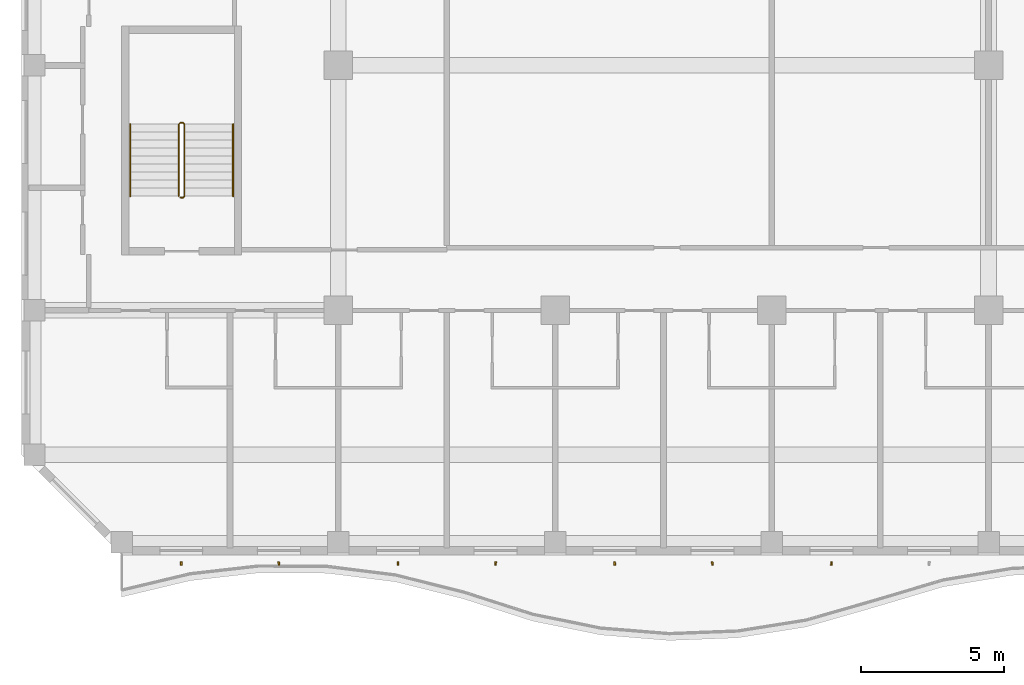
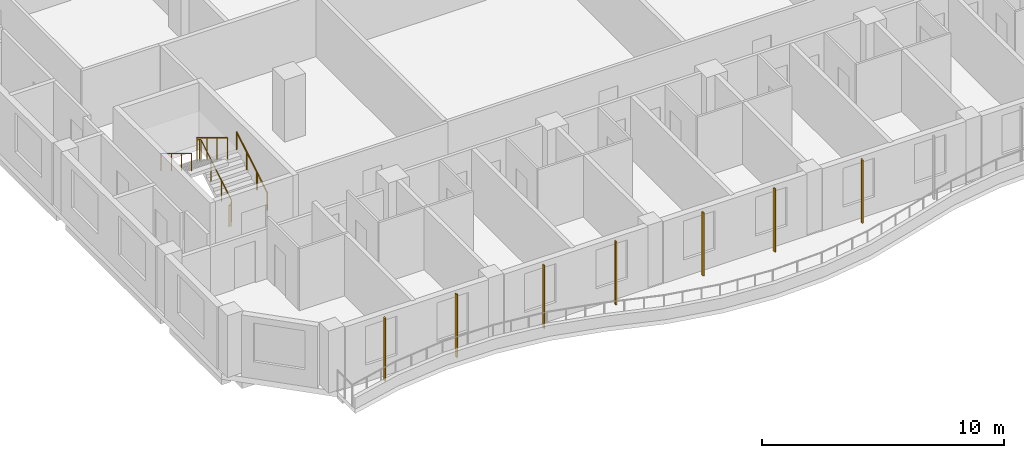
# One storey, part 15 of 23: 7 shading devices, 3 railings.
"""IFC4 building model written with IfcOpenShell, lengths in metres."""

from ifc_helpers import new_model, si_unit, direction, frame, origin, origin_2d, place, context, subcontext, project, spatial, rectangle, circle, extrude, source, transform, mapped, material, material_profile, profile_set, type_object, element, save


model = new_model("IFC4")

# Units and contexts
model_context = context("Model", 3, precision=1e-05, world=origin(), true_north=direction((0.0, 1.0)))
body_context = subcontext(model_context, "Body", "Model", "MODEL_VIEW")
ifc_project = project(units=[si_unit("LENGTHUNIT", "METRE"), si_unit("AREAUNIT", "SQUARE_METRE"), si_unit("VOLUMEUNIT", "CUBIC_METRE"), si_unit("PLANEANGLEUNIT", "RADIAN"), si_unit("MASSUNIT", "GRAM", prefix="KILO")], contexts=[model_context])

# Site, building, storey
site_placement = place(None, origin())
site = spatial("IfcSite", under=ifc_project, at=site_placement, CompositionType="ELEMENT")
building_placement = place(site_placement, origin())
building = spatial("IfcBuilding", under=site, at=building_placement, Name="Kilnfold Tower and Market Hall", CompositionType="ELEMENT")
storey_placement = place(building_placement, frame((0.0, 0.0, 203.300048828125)))
storey = spatial("IfcBuildingStorey", under=building, at=storey_placement, Name="L49", CompositionType="ELEMENT", Elevation=203.300048828125)

# Railings
ifc_material_1 = material(Name="Stainless steel 316", Category="steel")
railing_type_1 = type_object("IfcRailingType", Name="CORE STAIR GUARD 1100", PredefinedType="GUARDRAIL", material=ifc_material_1)
railing_1_placement = place(storey_placement, frame((-15.699951171875, -13.75, 0.0)))
element("IfcRailing", 1, at=railing_1_placement, inside=storey, type_object=railing_type_1, Name="L49 ST3 stair guard 1", PredefinedType="GUARDRAIL", context=body_context, shape_type="SweptSolid", body=[
    extrude(circle(Radius=0.02392578125, at=origin_2d()), frame((0.0, 0.0, 1.076171875), z_axis=(1.0, 0.0, 0.0), x_axis=(0.0, 1.0, 0.0)), (0.0, 0.0, 1.0), 0.099853515625),
    extrude(circle(Radius=0.02392578125, at=origin_2d()), frame((0.099853515625, 0.0, 1.076171875), z_axis=(0.271895245746, 0.271895245746, 0.923117517265), x_axis=(-0.707106781187, 0.707106781187, 0.0)), (0.0, 0.0, 1.0), 0.18408203125),
    extrude(circle(Radius=0.02392578125, at=origin_2d()), frame((0.14990234375, 0.050048828125, 1.24609375), z_axis=(0.0, 0.85478489116, 0.518982456201), x_axis=(-1.0, 0.0, 0.0)), (0.0, 0.0, 1.0), 2.9482421875),
    extrude(circle(Radius=0.02392578125, at=origin_2d()), frame((0.14990234375, 2.570068359375, 2.77587890625), z_axis=(-0.707106781187, 0.707106781187, 0.0), x_axis=(-0.707106781187, -0.707106781187, 0.0)), (0.0, 0.0, 1.0), 0.07080078125),
    extrude(circle(Radius=0.02392578125, at=origin_2d()), frame((0.099853515625, 2.6201171875, 2.77587890625), z_axis=(-1.0, 0.0, 0.0), x_axis=(0.0, -1.0, 0.0)), (0.0, 0.0, 1.0), 0.099853515625),
    extrude(circle(Radius=0.02392578125, at=origin_2d()), frame((0.0, 2.6201171875, 2.77587890625), z_axis=(-0.271895245746, -0.271895245746, 0.923117517265), x_axis=(0.707106781187, -0.707106781187, 0.0)), (0.0, 0.0, 1.0), 0.18408203125),
    extrude(circle(Radius=0.02392578125, at=origin_2d()), frame((-0.050048828125, 2.570068359375, 2.94580078125), z_axis=(0.0, -0.85478489116, 0.518982456201), x_axis=(1.0, 0.0, 0.0)), (0.0, 0.0, 1.0), 2.9482421875),
    extrude(circle(Radius=0.02099609375, at=origin_2d()), origin(), (0.0, 0.0, 1.0), 1.052001953125),
    extrude(circle(Radius=0.02099609375, at=origin_2d()), frame((0.099853515625, 0.0, 0.0)), (0.0, 0.0, 1.0), 1.052001953125),
    extrude(circle(Radius=0.02099609375, at=origin_2d()), frame((0.14990234375, 0.050048828125, 0.169921875)), (0.0, 0.0, 1.0), 1.052001953125),
    extrude(circle(Radius=0.02099609375, at=origin_2d()), frame((0.14990234375, 0.89013671875, 0.679931640625)), (0.0, 0.0, 1.0), 1.052001953125),
    extrude(circle(Radius=0.02099609375, at=origin_2d()), frame((0.14990234375, 1.72998046875, 1.18994140625)), (0.0, 0.0, 1.0), 1.052001953125),
    extrude(circle(Radius=0.02099609375, at=origin_2d()), frame((0.14990234375, 2.570068359375, 1.699951171875)), (0.0, 0.0, 1.0), 1.052001953125),
    extrude(circle(Radius=0.02099609375, at=origin_2d()), frame((0.099853515625, 2.6201171875, 1.699951171875)), (0.0, 0.0, 1.0), 1.052001953125),
    extrude(circle(Radius=0.02099609375, at=origin_2d()), frame((0.0, 2.6201171875, 1.699951171875)), (0.0, 0.0, 1.0), 1.052001953125),
    extrude(circle(Radius=0.02099609375, at=origin_2d()), frame((-0.050048828125, 2.570068359375, 1.869873046875)), (0.0, 0.0, 1.0), 1.052001953125),
    extrude(circle(Radius=0.02099609375, at=origin_2d()), frame((-0.050048828125, 1.72998046875, 2.3798828125)), (0.0, 0.0, 1.0), 1.052001953125),
    extrude(circle(Radius=0.02099609375, at=origin_2d()), frame((-0.050048828125, 0.89013671875, 2.889892578125)), (0.0, 0.0, 1.0), 1.052001953125),
    extrude(circle(Radius=0.02099609375, at=origin_2d()), frame((-0.050048828125, 0.050048828125, 3.39990234375)), (0.0, 0.0, 1.0), 1.052001953125),
])
ifc_material_2 = material(Name="Stainless steel 316", Category="steel")
railing_type_2 = type_object("IfcRailingType", Name="CORE STAIR HANDRAIL 900", PredefinedType="HANDRAIL", material=ifc_material_2)
railing_2_placement = place(storey_placement, frame((-13.85009765625, -13.699951171875, 0.169921875)))
element("IfcRailing", 2, at=railing_2_placement, inside=storey, type_object=railing_type_2, Name="L49 ST3 stair handrail 1", PredefinedType="HANDRAIL", context=body_context, shape_type="SweptSolid", body=[
    extrude(circle(Radius=0.02392578125, at=origin_2d()), frame((0.0, 0.0, 0.8759765625), z_axis=(0.0, 0.85478489116, 0.518982456201), x_axis=(-1.0, 0.0, 0.0)), (0.0, 0.0, 1.0), 2.9482421875),
    extrude(circle(Radius=0.02099609375, at=origin_2d()), origin(), (0.0, 0.0, 1.0), 0.851806640625),
    extrude(circle(Radius=0.02099609375, at=origin_2d()), frame((0.0, 0.840087890625, 0.510009765625)), (0.0, 0.0, 1.0), 0.851806640625),
    extrude(circle(Radius=0.02099609375, at=origin_2d()), frame((0.0, 1.679931640625, 1.02001953125)), (0.0, 0.0, 1.0), 0.851806640625),
    extrude(circle(Radius=0.02099609375, at=origin_2d()), frame((0.0, 2.52001953125, 1.530029296875)), (0.0, 0.0, 1.0), 0.851806640625),
])
railing_3_placement = place(storey_placement, frame((-17.449951171875, -11.179931640625, 1.869873046875)))
element("IfcRailing", 3, at=railing_3_placement, inside=storey, type_object=railing_type_2, Name="L49 ST3 stair handrail 2", PredefinedType="HANDRAIL", context=body_context, shape_type="SweptSolid", body=[
    extrude(circle(Radius=0.02392578125, at=origin_2d()), frame((0.0, 0.0, 0.8759765625), z_axis=(0.0, -0.85478489116, 0.518982456201), x_axis=(1.0, 0.0, 0.0)), (0.0, 0.0, 1.0), 2.9482421875),
    extrude(circle(Radius=0.02099609375, at=origin_2d()), origin(), (0.0, 0.0, 1.0), 0.851806640625),
    extrude(circle(Radius=0.02099609375, at=origin_2d()), frame((0.0, -0.840087890625, 0.510009765625)), (0.0, 0.0, 1.0), 0.851806640625),
    extrude(circle(Radius=0.02099609375, at=origin_2d()), frame((0.0, -1.679931640625, 1.02001953125)), (0.0, 0.0, 1.0), 0.851806640625),
    extrude(circle(Radius=0.02099609375, at=origin_2d()), frame((0.0, -2.52001953125, 1.530029296875)), (0.0, 0.0, 1.0), 0.851806640625),
])

# Shading devices
ifc_material_3 = material(Name="Terracotta", Category="masonry")
ifc_material_profile = material_profile(ifc_material_3, rectangle(XDim=0.06005859375, YDim=0.1201171875, at=origin_2d()), Name="BAG 60x120")
ifc_profile_set = profile_set([ifc_material_profile], Name="Terracotta")
shading_device_type = type_object("IfcShadingDeviceType", Name="BAGUETTE", PredefinedType="USERDEFINED", material=ifc_profile_set)
shared_shape = source(origin(), body_context, "Body", "SweptSolid", [
    extrude(rectangle(XDim=0.06005859375, YDim=0.1201171875, at=origin_2d()), origin(), (0.0, 0.0, 1.0), 3.179931640625),
])
for number, where, z_axis, x_axis, name in (
    (4, (-15.666748046875, -26.550048828125, 0.0), (0.0, 0.0, 1.0), (0.999697382098, -0.024599679401, 0.0), "Terracotta baguette L49 S"),
    (5, (-12.25, -26.550048828125, 0.0), (0.0, 0.0, 1.0), (0.990708478743, 0.136002610811, 0.0), "Terracotta baguette L49 S"),
    (6, (-8.083251953125, -26.550048828125, 0.0), (0.0, 0.0, 1.0), (0.999930296386, -0.011806878055, 0.0), "Terracotta baguette L49 S"),
    (7, (-4.666748046875, -26.550048828125, 0.0), (0.0, 0.0, 1.0), (0.990289675151, -0.139019276681, 0.0), "Terracotta baguette L49 S"),
    (8, (-0.5, -26.550048828125, 0.0), (0.0, 0.0, 1.0), (0.998876102415, 0.047397595122, 0.0), "Terracotta baguette L49 S"),
    (9, (2.916748046875, -26.550048828125, 0.0), (0.0, 0.0, 1.0), (0.991167230639, 0.132617950923, 0.0), "Terracotta baguette L49 S"),
    (10, (7.083251953125, -26.550048828125, 0.0), (0.0, 0.0, 1.0), (0.996818369374, -0.07970657739, 0.0), "Terracotta baguette L49 S"),
):
    element("IfcShadingDevice", number, at=place(storey_placement, frame(where, z_axis=z_axis, x_axis=x_axis)), inside=storey, type_object=shading_device_type, Name=name, ObjectType="BAGUETTE", PredefinedType="USERDEFINED", context=body_context, shape_type="MappedRepresentation", body=[
        mapped(shared_shape, transform((0.0, 0.0, 0.0))),
    ])

save(model, "model.ifc")
